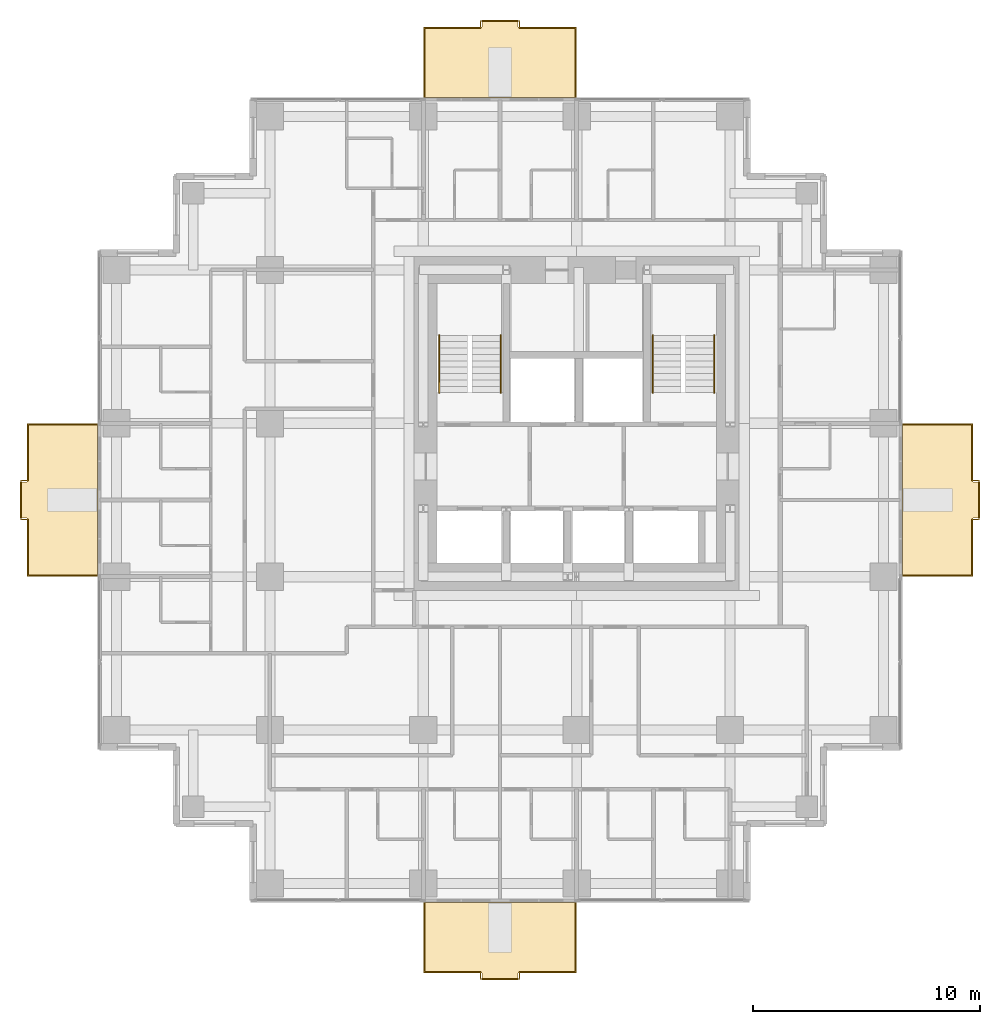
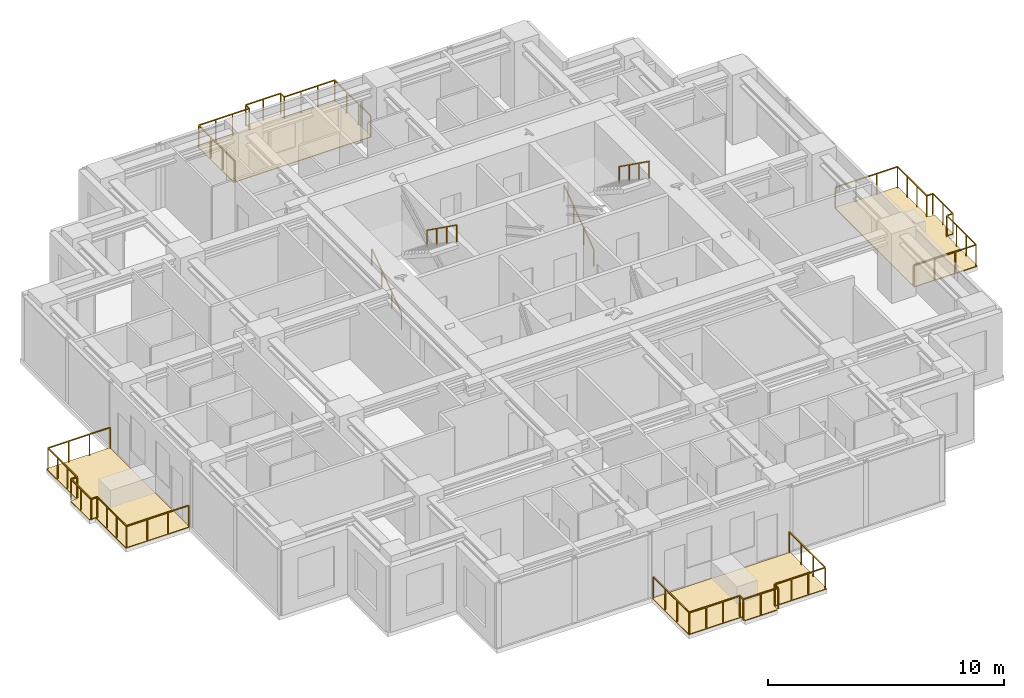
# One storey, part 10 of 10: 8 railings, 4 coverings.
"""IFC4 building model written with IfcOpenShell, lengths in metres."""

import ifcopenshell
import ifcopenshell.guid

model = None  # the IFC model being written
_history = None  # IfcOwnerHistory: only IFC2X3 demands one
_inside = {}  # id of a spatial element -> (the spatial element, [elements in it])
_under = {}  # id of a project, library or spatial element -> (it, [spatial elements below it])
_declared = {}  # id of a project -> (the project, [libraries it declares])
_typed = {}  # id of a type object -> (the type object, [elements of that type])
_made_of = {}  # id of a material, layer set ... -> (it, [elements and type objects made of it])


def new_model(schema):
    """Start an empty IFC model of exactly this schema.

    Asked for "IFC4X3", IfcOpenShell would pick the latest addendum, in which some entities
    have other attributes; the version numbers below select the first issue.
    IFC2X3 requires an IfcOwnerHistory on every rooted entity: one is made here for all.
    """
    global model, _history
    if schema == "IFC4X3":
        model = ifcopenshell.file(schema_version=(4, 3, 0, 0))
    else:
        model = ifcopenshell.file(schema=schema)
    _inside.clear()
    _under.clear()
    _declared.clear()
    _typed.clear()
    _made_of.clear()
    _history = None
    if model.schema == "IFC2X3":
        org = make("IfcOrganization", Name="unknown")
        user = make(
            "IfcPersonAndOrganization",
            ThePerson=make("IfcPerson", FamilyName="unknown"),
            TheOrganization=org,
        )
        app = make(
            "IfcApplication",
            ApplicationDeveloper=org,
            Version="unknown",
            ApplicationFullName="unknown",
            ApplicationIdentifier="unknown",
        )
        _history = make(
            "IfcOwnerHistory",
            OwningUser=user,
            OwningApplication=app,
            ChangeAction="ADDED",
            CreationDate=0,
        )
    return model


def make(cls, **values):
    """One entity of the class cls with the attributes given. An attribute that is None is left unset."""
    return model.create_entity(
        cls, **{name: value for name, value in values.items() if value is not None}
    )


def rooted(cls, **values):
    """An entity with a GlobalId (a new one), such as an element, a storey or a relation."""
    return make(cls, GlobalId=ifcopenshell.guid.new(), OwnerHistory=_history, **values)


def si_unit(unit_type, name, prefix=None):
    """IfcSIUnit, for example si_unit("LENGTHUNIT", "METRE", prefix="MILLI")."""
    return make("IfcSIUnit", UnitType=unit_type, Prefix=prefix, Name=name)


def assignment(units):
    """IfcUnitAssignment: the units of a project."""
    return None if units is None else make("IfcUnitAssignment", Units=units)


def point(xyz):
    """IfcCartesianPoint."""
    return None if xyz is None else make("IfcCartesianPoint", Coordinates=xyz)


def direction(xyz):
    """IfcDirection."""
    return None if xyz is None else make("IfcDirection", DirectionRatios=xyz)


def frame(location, z_axis=None, x_axis=None):
    """IfcAxis2Placement3D, a coordinate frame: its origin and axes. An axis left out is left unset."""
    return make(
        "IfcAxis2Placement3D",
        Location=point(location),
        Axis=direction(z_axis),
        RefDirection=direction(x_axis),
    )


def frame_2d(location, x_axis=None):
    """IfcAxis2Placement2D, a coordinate frame in the plane: its origin and x axis."""
    return make(
        "IfcAxis2Placement2D", Location=point(location), RefDirection=direction(x_axis)
    )


def origin():
    """The frame at (0, 0, 0) with its axes left unset."""
    return frame((0.0, 0.0, 0.0))


def origin_2d():
    """The frame at (0, 0) in the plane with its x axis left unset."""
    return frame_2d((0.0, 0.0))


def place(relative_to, where):
    """IfcLocalPlacement: puts the frame where relative to a parent placement (None: the world)."""
    return make(
        "IfcLocalPlacement", PlacementRelTo=relative_to, RelativePlacement=where
    )


def context(
    kind, dimensions, precision=None, world=None, true_north=None, identifier=None
):
    """IfcGeometricRepresentationContext, for example the 3D "Model" context."""
    return make(
        "IfcGeometricRepresentationContext",
        ContextIdentifier=identifier,
        ContextType=kind,
        CoordinateSpaceDimension=dimensions,
        Precision=precision,
        WorldCoordinateSystem=world,
        TrueNorth=true_north,
    )


def subcontext(parent, identifier, kind, view, scale=None):
    """IfcGeometricRepresentationSubContext, for example "Body" below "Model"."""
    return make(
        "IfcGeometricRepresentationSubContext",
        ContextIdentifier=identifier,
        ContextType=kind,
        ParentContext=parent,
        TargetScale=scale,
        TargetView=view,
    )


def project(units=None, contexts=None):
    """IfcProject with its units and contexts."""
    return rooted(
        "IfcProject",
        Name="project",
        RepresentationContexts=contexts,
        UnitsInContext=assignment(units),
    )


def spatial(cls, under=None, at=None, **own):
    """A site, building, storey or space (cls), placed at a placement, below another one or the project."""
    s = rooted(cls, ObjectPlacement=at, **own)
    if under is not None:
        _under.setdefault(under.id(), (under, []))[1].append(s)
    return s


def polyline(points):
    """IfcPolyline through the points."""
    return make("IfcPolyline", Points=[point(p) for p in points])


def profile(cls, at=None, kind="AREA", **sizes):
    """A parametric profile (cls). Its sizes go by their IFC names, for example OverallWidth=200.0."""
    return make(cls, ProfileType=kind, Position=at, **sizes)


def rectangle(**sizes):
    """IfcRectangleProfileDef."""
    return profile("IfcRectangleProfileDef", **sizes)


def outline(outer, holes=None, kind="AREA"):
    """IfcArbitraryClosedProfileDef: a profile drawn as a closed curve; with holes, ...WithVoids."""
    if holes is None:
        return make("IfcArbitraryClosedProfileDef", ProfileType=kind, OuterCurve=outer)
    return make(
        "IfcArbitraryProfileDefWithVoids",
        ProfileType=kind,
        OuterCurve=outer,
        InnerCurves=holes,
    )


def extrude(swept, where, along, depth):
    """IfcExtrudedAreaSolid: the profile swept, set in the frame where, extruded along a direction by depth."""
    return make(
        "IfcExtrudedAreaSolid",
        SweptArea=swept,
        Position=where,
        ExtrudedDirection=direction(along),
        Depth=depth,
    )


def shape(context_of_items, identifier, shape_type, items):
    """IfcShapeRepresentation: the items that make up one representation, for example the "Body"."""
    return make(
        "IfcShapeRepresentation",
        ContextOfItems=context_of_items,
        RepresentationIdentifier=identifier,
        RepresentationType=shape_type,
        Items=items,
    )


def material(Name=None, Category=None):
    """IfcMaterial."""
    return make("IfcMaterial", Name=Name, Category=Category)


def layer(
    of_material, thickness, ventilated=None, Name=None, Category=None, Priority=None
):
    """IfcMaterialLayer: one layer of a wall or slab, of a material (None: an air gap)."""
    return make(
        "IfcMaterialLayer",
        Material=of_material,
        LayerThickness=thickness,
        IsVentilated=ventilated,
        Name=Name,
        Category=Category,
        Priority=Priority,
    )


def layer_set(layers, Name=None):
    """IfcMaterialLayerSet."""
    return make("IfcMaterialLayerSet", MaterialLayers=layers, LayerSetName=Name)


def made_of(thing, what):
    """Note that an element or type object is made of a material, layer set ...; save() writes the relation."""
    if what is not None:
        _made_of.setdefault(what.id(), (what, []))[1].append(thing)
    return thing


def type_object(cls, material=None, **own):
    """A type object (cls), such as IfcWallType, which elements share."""
    return made_of(rooted(cls, **own), material)


def element(
    cls,
    number,
    at=None,
    inside=None,
    cuts=None,
    type_object=None,
    material=None,
    context=None,
    identifier="Body",
    shape_type=None,
    held_by="IfcProductDefinitionShape",
    body=None,
    shapes=None,
    **own,
):
    """One element of the class cls, such as IfcWall. Its Tag is "e" and its number.

    at: its placement. inside: the storey or other place that contains it. cuts: it is an
    opening in that element (IfcRelVoidsElement). A single representation is given by context,
    identifier, shape_type and body (its items); several are given by shapes. held_by: the class
    of the entity that holds the representations. save() writes the other relations.
    """
    e = rooted(cls, Tag="e%d" % number, ObjectPlacement=at, **own)
    if body is not None:
        shapes = [shape(context, identifier, shape_type, body)]
    if shapes is not None:
        e.Representation = make(held_by, Representations=shapes)
    if inside is not None:
        _inside.setdefault(inside.id(), (inside, []))[1].append(e)
    if cuts is not None:
        rooted(
            "IfcRelVoidsElement", RelatingBuildingElement=cuts, RelatedOpeningElement=e
        )
    if type_object is not None:
        _typed.setdefault(type_object.id(), (type_object, []))[1].append(e)
    return made_of(e, material)


def aggregate(whole, parts):
    """IfcRelAggregates: a whole, such as a stair, and the parts it consists of."""
    return rooted("IfcRelAggregates", RelatingObject=whole, RelatedObjects=parts)


def save(model, path):
    """Write the relations noted so far, then the file.

    IfcRelAggregates (storeys below a building ...), IfcRelContainedInSpatialStructure (elements
    in a storey), IfcRelDefinesByType, IfcRelAssociatesMaterial and IfcRelDeclares: one each for
    every whole, place, type object, material and project.
    """
    for whole, parts in _under.values():
        aggregate(whole, parts)
    for where, things in _inside.values():
        rooted(
            "IfcRelContainedInSpatialStructure",
            RelatedElements=things,
            RelatingStructure=where,
        )
    for kind, things in _typed.values():
        rooted("IfcRelDefinesByType", RelatedObjects=things, RelatingType=kind)
    for what, things in _made_of.values():
        rooted("IfcRelAssociatesMaterial", RelatedObjects=things, RelatingMaterial=what)
    for by, libraries in _declared.values():
        rooted("IfcRelDeclares", RelatingContext=by, RelatedDefinitions=libraries)
    model.write(path)


model = new_model("IFC4")

# Units and contexts
model_context = context("Model", 3, precision=1e-05, world=origin(), true_north=direction((0.0, 1.0)))
body_context = subcontext(model_context, "Body", "Model", "MODEL_VIEW")
ifc_project = project(units=[si_unit("LENGTHUNIT", "METRE"), si_unit("AREAUNIT", "SQUARE_METRE"), si_unit("VOLUMEUNIT", "CUBIC_METRE"), si_unit("PLANEANGLEUNIT", "RADIAN"), si_unit("MASSUNIT", "GRAM", prefix="KILO")], contexts=[model_context])

# Site, building, storey
site_placement = place(None, origin())
site = spatial("IfcSite", under=ifc_project, at=site_placement, CompositionType="ELEMENT")
building_placement = place(site_placement, origin())
building = spatial("IfcBuilding", under=site, at=building_placement, Name="Nyansa Garden Tower", CompositionType="ELEMENT")
storey_placement = place(building_placement, frame((0.0, 0.0, 185.39990234375)))
storey = spatial("IfcBuildingStorey", under=building, at=storey_placement, Name="L50", CompositionType="ELEMENT", Elevation=185.39990234375)

# Coverings
ifc_material_1 = material(Name="Hardwood decking on pedestals", Category="wood")
ifc_layer = layer(ifc_material_1, 0.0400390625)
ifc_layer_set = layer_set([ifc_layer], Name="Balcony decking DK40")
covering_type = type_object("IfcCoveringType", Name="Balcony decking DK40", PredefinedType="FLOORING", material=ifc_layer_set)
covering_1_placement = place(storey_placement, frame((0.0, 0.0, -0.039794921875)))
element("IfcCovering", 1, at=covering_1_placement, inside=storey, type_object=covering_type, Name="Balcony decking L50", PredefinedType="FLOORING", context=body_context, shape_type="SweptSolid", body=[
    extrude(outline(polyline([(13.5, -0.85009765625), (20.25, -0.85009765625), (20.25, -3.949951171875), (17.675048828125, -3.949951171875), (17.675048828125, -4.25), (16.074951171875, -4.25), (16.074951171875, -3.949951171875), (13.5, -3.949951171875), (13.5, -0.85009765625)])), origin(), (0.0, 0.0, 1.0), 0.039794921875),
])
covering_2_placement = place(storey_placement, frame((0.0, 0.0, -0.039794921875)))
element("IfcCovering", 2, at=covering_2_placement, inside=storey, type_object=covering_type, Name="Balcony decking L50", PredefinedType="FLOORING", context=body_context, shape_type="SweptSolid", body=[
    extrude(outline(polyline([(34.60009765625, 13.5), (34.60009765625, 20.25), (37.699951171875, 20.25), (37.699951171875, 17.675048828125), (38.0, 17.675048828125), (38.0, 16.074951171875), (37.699951171875, 16.074951171875), (37.699951171875, 13.5), (34.60009765625, 13.5)])), origin(), (0.0, 0.0, 1.0), 0.039794921875),
])
covering_3_placement = place(storey_placement, frame((0.0, 0.0, -0.039794921875)))
element("IfcCovering", 3, at=covering_3_placement, inside=storey, type_object=covering_type, Name="Balcony decking L50", PredefinedType="FLOORING", context=body_context, shape_type="SweptSolid", body=[
    extrude(outline(polyline([(13.5, 34.60009765625), (20.25, 34.60009765625), (20.25, 37.699951171875), (17.675048828125, 37.699951171875), (17.675048828125, 38.0), (16.074951171875, 38.0), (16.074951171875, 37.699951171875), (13.5, 37.699951171875), (13.5, 34.60009765625)])), origin(), (0.0, 0.0, 1.0), 0.039794921875),
])
covering_4_placement = place(storey_placement, frame((0.0, 0.0, -0.039794921875)))
element("IfcCovering", 4, at=covering_4_placement, inside=storey, type_object=covering_type, Name="Balcony decking L50", PredefinedType="FLOORING", context=body_context, shape_type="SweptSolid", body=[
    extrude(outline(polyline([(-0.85009765625, 13.5), (-0.85009765625, 20.25), (-3.949951171875, 20.25), (-3.949951171875, 17.675048828125), (-4.25, 17.675048828125), (-4.25, 16.074951171875), (-3.949951171875, 16.074951171875), (-3.949951171875, 13.5), (-0.85009765625, 13.5)])), origin(), (0.0, 0.0, 1.0), 0.039794921875),
])

# Railings
ifc_material_2 = material(Name="Black powder-coated steel balusters, laminated glass infill", Category="steel")
railing_type_1 = type_object("IfcRailingType", Name="Balcony guard G1", PredefinedType="GUARDRAIL", material=ifc_material_2)
railing_1_placement = place(storey_placement, frame((13.550048828125, -0.85009765625, 0.0)))
element("IfcRailing", 5, at=railing_1_placement, inside=storey, type_object=railing_type_1, Name="Balcony guard L50", PredefinedType="GUARDRAIL", context=body_context, shape_type="SweptSolid", body=[
    extrude(rectangle(XDim=0.048095703125, YDim=0.048095703125, at=origin_2d()), frame((0.0, 0.0, 1.076171875), z_axis=(0.0, -1.0, 0.0), x_axis=(1.0, 0.0, 0.0)), (0.0, 0.0, 1.0), 3.0498046875),
    extrude(rectangle(XDim=0.048095703125, YDim=0.048095703125, at=origin_2d()), frame((0.0, -3.0498046875, 1.076171875), z_axis=(1.0, 0.0, 0.0), x_axis=(0.0, 1.0, 0.0)), (0.0, 0.0, 1.0), 2.474853515625),
    extrude(rectangle(XDim=0.048095703125, YDim=0.048095703125, at=origin_2d()), frame((2.474853515625, -3.0498046875, 1.076171875), z_axis=(0.0, -1.0, 0.0), x_axis=(1.0, 0.0, 0.0)), (0.0, 0.0, 1.0), 0.300048828125),
    extrude(rectangle(XDim=0.048095703125, YDim=0.048095703125, at=origin_2d()), frame((2.474853515625, -3.349853515625, 1.076171875), z_axis=(1.0, 0.0, 0.0), x_axis=(0.0, 1.0, 0.0)), (0.0, 0.0, 1.0), 1.7001953125),
    extrude(rectangle(XDim=0.048095703125, YDim=0.048095703125, at=origin_2d()), frame((4.175048828125, -3.349853515625, 1.076171875), z_axis=(0.0, 1.0, 0.0), x_axis=(-1.0, 0.0, 0.0)), (0.0, 0.0, 1.0), 0.300048828125),
    extrude(rectangle(XDim=0.048095703125, YDim=0.048095703125, at=origin_2d()), frame((4.175048828125, -3.0498046875, 1.076171875), z_axis=(1.0, 0.0, 0.0), x_axis=(0.0, 1.0, 0.0)), (0.0, 0.0, 1.0), 2.474853515625),
    extrude(rectangle(XDim=0.048095703125, YDim=0.048095703125, at=origin_2d()), frame((6.64990234375, -3.0498046875, 1.076171875), z_axis=(0.0, 1.0, 0.0), x_axis=(-1.0, 0.0, 0.0)), (0.0, 0.0, 1.0), 3.0498046875),
    extrude(rectangle(XDim=0.0419921875, YDim=0.0419921875, at=origin_2d()), origin(), (0.0, 0.0, 1.0), 1.052001953125),
    extrude(rectangle(XDim=0.0419921875, YDim=0.0419921875, at=origin_2d()), frame((0.0, -1.0166015625, 0.0)), (0.0, 0.0, 1.0), 1.052001953125),
    extrude(rectangle(XDim=0.0419921875, YDim=0.0419921875, at=origin_2d()), frame((0.0, -2.033203125, 0.0)), (0.0, 0.0, 1.0), 1.052001953125),
    extrude(rectangle(XDim=0.0419921875, YDim=0.0419921875, at=origin_2d()), frame((0.0, -3.0498046875, 0.0)), (0.0, 0.0, 1.0), 1.052001953125),
    extrude(rectangle(XDim=0.0419921875, YDim=0.0419921875, at=origin_2d()), frame((0.824951171875, -3.0498046875, 0.0)), (0.0, 0.0, 1.0), 1.052001953125),
    extrude(rectangle(XDim=0.0419921875, YDim=0.0419921875, at=origin_2d()), frame((1.64990234375, -3.0498046875, 0.0)), (0.0, 0.0, 1.0), 1.052001953125),
    extrude(rectangle(XDim=0.0419921875, YDim=0.0419921875, at=origin_2d()), frame((2.474853515625, -3.0498046875, 0.0)), (0.0, 0.0, 1.0), 1.052001953125),
    extrude(rectangle(XDim=0.0419921875, YDim=0.0419921875, at=origin_2d()), frame((2.474853515625, -3.349853515625, 0.0)), (0.0, 0.0, 1.0), 1.052001953125),
    extrude(rectangle(XDim=0.0419921875, YDim=0.0419921875, at=origin_2d()), frame((3.324951171875, -3.349853515625, 0.0)), (0.0, 0.0, 1.0), 1.052001953125),
    extrude(rectangle(XDim=0.0419921875, YDim=0.0419921875, at=origin_2d()), frame((4.175048828125, -3.349853515625, 0.0)), (0.0, 0.0, 1.0), 1.052001953125),
    extrude(rectangle(XDim=0.0419921875, YDim=0.0419921875, at=origin_2d()), frame((4.175048828125, -3.0498046875, 0.0)), (0.0, 0.0, 1.0), 1.052001953125),
    extrude(rectangle(XDim=0.0419921875, YDim=0.0419921875, at=origin_2d()), frame((5.0, -3.0498046875, 0.0)), (0.0, 0.0, 1.0), 1.052001953125),
    extrude(rectangle(XDim=0.0419921875, YDim=0.0419921875, at=origin_2d()), frame((5.824951171875, -3.0498046875, 0.0)), (0.0, 0.0, 1.0), 1.052001953125),
    extrude(rectangle(XDim=0.0419921875, YDim=0.0419921875, at=origin_2d()), frame((6.64990234375, -3.0498046875, 0.0)), (0.0, 0.0, 1.0), 1.052001953125),
    extrude(rectangle(XDim=0.0419921875, YDim=0.0419921875, at=origin_2d()), frame((6.64990234375, -2.033203125, 0.0)), (0.0, 0.0, 1.0), 1.052001953125),
    extrude(rectangle(XDim=0.0419921875, YDim=0.0419921875, at=origin_2d()), frame((6.64990234375, -1.0166015625, 0.0)), (0.0, 0.0, 1.0), 1.052001953125),
    extrude(rectangle(XDim=0.0419921875, YDim=0.0419921875, at=origin_2d()), frame((6.64990234375, 0.0, 0.0)), (0.0, 0.0, 1.0), 1.052001953125),
])
railing_2_placement = place(storey_placement, frame((34.60009765625, 13.550048828125, 0.0)))
element("IfcRailing", 6, at=railing_2_placement, inside=storey, type_object=railing_type_1, Name="Balcony guard L50", PredefinedType="GUARDRAIL", context=body_context, shape_type="SweptSolid", body=[
    extrude(rectangle(XDim=0.048095703125, YDim=0.048095703125, at=origin_2d()), frame((0.0, 0.0, 1.076171875), z_axis=(1.0, 0.0, 0.0), x_axis=(0.0, 1.0, 0.0)), (0.0, 0.0, 1.0), 3.0498046875),
    extrude(rectangle(XDim=0.048095703125, YDim=0.048095703125, at=origin_2d()), frame((3.0498046875, 0.0, 1.076171875), z_axis=(0.0, 1.0, 0.0), x_axis=(-1.0, 0.0, 0.0)), (0.0, 0.0, 1.0), 2.474853515625),
    extrude(rectangle(XDim=0.048095703125, YDim=0.048095703125, at=origin_2d()), frame((3.0498046875, 2.474853515625, 1.076171875), z_axis=(1.0, 0.0, 0.0), x_axis=(0.0, 1.0, 0.0)), (0.0, 0.0, 1.0), 0.300048828125),
    extrude(rectangle(XDim=0.048095703125, YDim=0.048095703125, at=origin_2d()), frame((3.349853515625, 2.474853515625, 1.076171875), z_axis=(0.0, 1.0, 0.0), x_axis=(-1.0, 0.0, 0.0)), (0.0, 0.0, 1.0), 1.7001953125),
    extrude(rectangle(XDim=0.048095703125, YDim=0.048095703125, at=origin_2d()), frame((3.349853515625, 4.175048828125, 1.076171875), z_axis=(-1.0, 0.0, 0.0), x_axis=(0.0, -1.0, 0.0)), (0.0, 0.0, 1.0), 0.300048828125),
    extrude(rectangle(XDim=0.048095703125, YDim=0.048095703125, at=origin_2d()), frame((3.0498046875, 4.175048828125, 1.076171875), z_axis=(0.0, 1.0, 0.0), x_axis=(-1.0, 0.0, 0.0)), (0.0, 0.0, 1.0), 2.474853515625),
    extrude(rectangle(XDim=0.048095703125, YDim=0.048095703125, at=origin_2d()), frame((3.0498046875, 6.64990234375, 1.076171875), z_axis=(-1.0, 0.0, 0.0), x_axis=(0.0, -1.0, 0.0)), (0.0, 0.0, 1.0), 3.0498046875),
    extrude(rectangle(XDim=0.0419921875, YDim=0.0419921875, at=origin_2d()), origin(), (0.0, 0.0, 1.0), 1.052001953125),
    extrude(rectangle(XDim=0.0419921875, YDim=0.0419921875, at=origin_2d()), frame((1.0166015625, 0.0, 0.0)), (0.0, 0.0, 1.0), 1.052001953125),
    extrude(rectangle(XDim=0.0419921875, YDim=0.0419921875, at=origin_2d()), frame((2.033203125, 0.0, 0.0)), (0.0, 0.0, 1.0), 1.052001953125),
    extrude(rectangle(XDim=0.0419921875, YDim=0.0419921875, at=origin_2d()), frame((3.0498046875, 0.0, 0.0)), (0.0, 0.0, 1.0), 1.052001953125),
    extrude(rectangle(XDim=0.0419921875, YDim=0.0419921875, at=origin_2d()), frame((3.0498046875, 0.824951171875, 0.0)), (0.0, 0.0, 1.0), 1.052001953125),
    extrude(rectangle(XDim=0.0419921875, YDim=0.0419921875, at=origin_2d()), frame((3.0498046875, 1.64990234375, 0.0)), (0.0, 0.0, 1.0), 1.052001953125),
    extrude(rectangle(XDim=0.0419921875, YDim=0.0419921875, at=origin_2d()), frame((3.0498046875, 2.474853515625, 0.0)), (0.0, 0.0, 1.0), 1.052001953125),
    extrude(rectangle(XDim=0.0419921875, YDim=0.0419921875, at=origin_2d()), frame((3.349853515625, 2.474853515625, 0.0)), (0.0, 0.0, 1.0), 1.052001953125),
    extrude(rectangle(XDim=0.0419921875, YDim=0.0419921875, at=origin_2d()), frame((3.349853515625, 3.324951171875, 0.0)), (0.0, 0.0, 1.0), 1.052001953125),
    extrude(rectangle(XDim=0.0419921875, YDim=0.0419921875, at=origin_2d()), frame((3.349853515625, 4.175048828125, 0.0)), (0.0, 0.0, 1.0), 1.052001953125),
    extrude(rectangle(XDim=0.0419921875, YDim=0.0419921875, at=origin_2d()), frame((3.0498046875, 4.175048828125, 0.0)), (0.0, 0.0, 1.0), 1.052001953125),
    extrude(rectangle(XDim=0.0419921875, YDim=0.0419921875, at=origin_2d()), frame((3.0498046875, 5.0, 0.0)), (0.0, 0.0, 1.0), 1.052001953125),
    extrude(rectangle(XDim=0.0419921875, YDim=0.0419921875, at=origin_2d()), frame((3.0498046875, 5.824951171875, 0.0)), (0.0, 0.0, 1.0), 1.052001953125),
    extrude(rectangle(XDim=0.0419921875, YDim=0.0419921875, at=origin_2d()), frame((3.0498046875, 6.64990234375, 0.0)), (0.0, 0.0, 1.0), 1.052001953125),
    extrude(rectangle(XDim=0.0419921875, YDim=0.0419921875, at=origin_2d()), frame((2.033203125, 6.64990234375, 0.0)), (0.0, 0.0, 1.0), 1.052001953125),
    extrude(rectangle(XDim=0.0419921875, YDim=0.0419921875, at=origin_2d()), frame((1.0166015625, 6.64990234375, 0.0)), (0.0, 0.0, 1.0), 1.052001953125),
    extrude(rectangle(XDim=0.0419921875, YDim=0.0419921875, at=origin_2d()), frame((0.0, 6.64990234375, 0.0)), (0.0, 0.0, 1.0), 1.052001953125),
])
railing_3_placement = place(storey_placement, frame((13.550048828125, 34.60009765625, 0.0)))
element("IfcRailing", 7, at=railing_3_placement, inside=storey, type_object=railing_type_1, Name="Balcony guard L50", PredefinedType="GUARDRAIL", context=body_context, shape_type="SweptSolid", body=[
    extrude(rectangle(XDim=0.048095703125, YDim=0.048095703125, at=origin_2d()), frame((0.0, 0.0, 1.076171875), z_axis=(0.0, 1.0, 0.0), x_axis=(-1.0, 0.0, 0.0)), (0.0, 0.0, 1.0), 3.0498046875),
    extrude(rectangle(XDim=0.048095703125, YDim=0.048095703125, at=origin_2d()), frame((0.0, 3.0498046875, 1.076171875), z_axis=(1.0, 0.0, 0.0), x_axis=(0.0, 1.0, 0.0)), (0.0, 0.0, 1.0), 2.474853515625),
    extrude(rectangle(XDim=0.048095703125, YDim=0.048095703125, at=origin_2d()), frame((2.474853515625, 3.0498046875, 1.076171875), z_axis=(0.0, 1.0, 0.0), x_axis=(-1.0, 0.0, 0.0)), (0.0, 0.0, 1.0), 0.300048828125),
    extrude(rectangle(XDim=0.048095703125, YDim=0.048095703125, at=origin_2d()), frame((2.474853515625, 3.349853515625, 1.076171875), z_axis=(1.0, 0.0, 0.0), x_axis=(0.0, 1.0, 0.0)), (0.0, 0.0, 1.0), 1.7001953125),
    extrude(rectangle(XDim=0.048095703125, YDim=0.048095703125, at=origin_2d()), frame((4.175048828125, 3.349853515625, 1.076171875), z_axis=(0.0, -1.0, 0.0), x_axis=(1.0, 0.0, 0.0)), (0.0, 0.0, 1.0), 0.300048828125),
    extrude(rectangle(XDim=0.048095703125, YDim=0.048095703125, at=origin_2d()), frame((4.175048828125, 3.0498046875, 1.076171875), z_axis=(1.0, 0.0, 0.0), x_axis=(0.0, 1.0, 0.0)), (0.0, 0.0, 1.0), 2.474853515625),
    extrude(rectangle(XDim=0.048095703125, YDim=0.048095703125, at=origin_2d()), frame((6.64990234375, 3.0498046875, 1.076171875), z_axis=(0.0, -1.0, 0.0), x_axis=(1.0, 0.0, 0.0)), (0.0, 0.0, 1.0), 3.0498046875),
    extrude(rectangle(XDim=0.0419921875, YDim=0.0419921875, at=origin_2d()), origin(), (0.0, 0.0, 1.0), 1.052001953125),
    extrude(rectangle(XDim=0.0419921875, YDim=0.0419921875, at=origin_2d()), frame((0.0, 1.0166015625, 0.0)), (0.0, 0.0, 1.0), 1.052001953125),
    extrude(rectangle(XDim=0.0419921875, YDim=0.0419921875, at=origin_2d()), frame((0.0, 2.033203125, 0.0)), (0.0, 0.0, 1.0), 1.052001953125),
    extrude(rectangle(XDim=0.0419921875, YDim=0.0419921875, at=origin_2d()), frame((0.0, 3.0498046875, 0.0)), (0.0, 0.0, 1.0), 1.052001953125),
    extrude(rectangle(XDim=0.0419921875, YDim=0.0419921875, at=origin_2d()), frame((0.824951171875, 3.0498046875, 0.0)), (0.0, 0.0, 1.0), 1.052001953125),
    extrude(rectangle(XDim=0.0419921875, YDim=0.0419921875, at=origin_2d()), frame((1.64990234375, 3.0498046875, 0.0)), (0.0, 0.0, 1.0), 1.052001953125),
    extrude(rectangle(XDim=0.0419921875, YDim=0.0419921875, at=origin_2d()), frame((2.474853515625, 3.0498046875, 0.0)), (0.0, 0.0, 1.0), 1.052001953125),
    extrude(rectangle(XDim=0.0419921875, YDim=0.0419921875, at=origin_2d()), frame((2.474853515625, 3.349853515625, 0.0)), (0.0, 0.0, 1.0), 1.052001953125),
    extrude(rectangle(XDim=0.0419921875, YDim=0.0419921875, at=origin_2d()), frame((3.324951171875, 3.349853515625, 0.0)), (0.0, 0.0, 1.0), 1.052001953125),
    extrude(rectangle(XDim=0.0419921875, YDim=0.0419921875, at=origin_2d()), frame((4.175048828125, 3.349853515625, 0.0)), (0.0, 0.0, 1.0), 1.052001953125),
    extrude(rectangle(XDim=0.0419921875, YDim=0.0419921875, at=origin_2d()), frame((4.175048828125, 3.0498046875, 0.0)), (0.0, 0.0, 1.0), 1.052001953125),
    extrude(rectangle(XDim=0.0419921875, YDim=0.0419921875, at=origin_2d()), frame((5.0, 3.0498046875, 0.0)), (0.0, 0.0, 1.0), 1.052001953125),
    extrude(rectangle(XDim=0.0419921875, YDim=0.0419921875, at=origin_2d()), frame((5.824951171875, 3.0498046875, 0.0)), (0.0, 0.0, 1.0), 1.052001953125),
    extrude(rectangle(XDim=0.0419921875, YDim=0.0419921875, at=origin_2d()), frame((6.64990234375, 3.0498046875, 0.0)), (0.0, 0.0, 1.0), 1.052001953125),
    extrude(rectangle(XDim=0.0419921875, YDim=0.0419921875, at=origin_2d()), frame((6.64990234375, 2.033203125, 0.0)), (0.0, 0.0, 1.0), 1.052001953125),
    extrude(rectangle(XDim=0.0419921875, YDim=0.0419921875, at=origin_2d()), frame((6.64990234375, 1.0166015625, 0.0)), (0.0, 0.0, 1.0), 1.052001953125),
    extrude(rectangle(XDim=0.0419921875, YDim=0.0419921875, at=origin_2d()), frame((6.64990234375, 0.0, 0.0)), (0.0, 0.0, 1.0), 1.052001953125),
])
railing_4_placement = place(storey_placement, frame((-0.85009765625, 13.550048828125, 0.0)))
element("IfcRailing", 8, at=railing_4_placement, inside=storey, type_object=railing_type_1, Name="Balcony guard L50", PredefinedType="GUARDRAIL", context=body_context, shape_type="SweptSolid", body=[
    extrude(rectangle(XDim=0.048095703125, YDim=0.048095703125, at=origin_2d()), frame((0.0, 0.0, 1.076171875), z_axis=(-1.0, 0.0, 0.0), x_axis=(0.0, -1.0, 0.0)), (0.0, 0.0, 1.0), 3.0498046875),
    extrude(rectangle(XDim=0.048095703125, YDim=0.048095703125, at=origin_2d()), frame((-3.0498046875, 0.0, 1.076171875), z_axis=(0.0, 1.0, 0.0), x_axis=(-1.0, 0.0, 0.0)), (0.0, 0.0, 1.0), 2.474853515625),
    extrude(rectangle(XDim=0.048095703125, YDim=0.048095703125, at=origin_2d()), frame((-3.0498046875, 2.474853515625, 1.076171875), z_axis=(-1.0, 0.0, 0.0), x_axis=(0.0, -1.0, 0.0)), (0.0, 0.0, 1.0), 0.300048828125),
    extrude(rectangle(XDim=0.048095703125, YDim=0.048095703125, at=origin_2d()), frame((-3.349853515625, 2.474853515625, 1.076171875), z_axis=(0.0, 1.0, 0.0), x_axis=(-1.0, 0.0, 0.0)), (0.0, 0.0, 1.0), 1.7001953125),
    extrude(rectangle(XDim=0.048095703125, YDim=0.048095703125, at=origin_2d()), frame((-3.349853515625, 4.175048828125, 1.076171875), z_axis=(1.0, 0.0, 0.0), x_axis=(0.0, 1.0, 0.0)), (0.0, 0.0, 1.0), 0.300048828125),
    extrude(rectangle(XDim=0.048095703125, YDim=0.048095703125, at=origin_2d()), frame((-3.0498046875, 4.175048828125, 1.076171875), z_axis=(0.0, 1.0, 0.0), x_axis=(-1.0, 0.0, 0.0)), (0.0, 0.0, 1.0), 2.474853515625),
    extrude(rectangle(XDim=0.048095703125, YDim=0.048095703125, at=origin_2d()), frame((-3.0498046875, 6.64990234375, 1.076171875), z_axis=(1.0, 0.0, 0.0), x_axis=(0.0, 1.0, 0.0)), (0.0, 0.0, 1.0), 3.0498046875),
    extrude(rectangle(XDim=0.0419921875, YDim=0.0419921875, at=origin_2d()), origin(), (0.0, 0.0, 1.0), 1.052001953125),
    extrude(rectangle(XDim=0.0419921875, YDim=0.0419921875, at=origin_2d()), frame((-1.0166015625, 0.0, 0.0)), (0.0, 0.0, 1.0), 1.052001953125),
    extrude(rectangle(XDim=0.0419921875, YDim=0.0419921875, at=origin_2d()), frame((-2.033203125, 0.0, 0.0)), (0.0, 0.0, 1.0), 1.052001953125),
    extrude(rectangle(XDim=0.0419921875, YDim=0.0419921875, at=origin_2d()), frame((-3.0498046875, 0.0, 0.0)), (0.0, 0.0, 1.0), 1.052001953125),
    extrude(rectangle(XDim=0.0419921875, YDim=0.0419921875, at=origin_2d()), frame((-3.0498046875, 0.824951171875, 0.0)), (0.0, 0.0, 1.0), 1.052001953125),
    extrude(rectangle(XDim=0.0419921875, YDim=0.0419921875, at=origin_2d()), frame((-3.0498046875, 1.64990234375, 0.0)), (0.0, 0.0, 1.0), 1.052001953125),
    extrude(rectangle(XDim=0.0419921875, YDim=0.0419921875, at=origin_2d()), frame((-3.0498046875, 2.474853515625, 0.0)), (0.0, 0.0, 1.0), 1.052001953125),
    extrude(rectangle(XDim=0.0419921875, YDim=0.0419921875, at=origin_2d()), frame((-3.349853515625, 2.474853515625, 0.0)), (0.0, 0.0, 1.0), 1.052001953125),
    extrude(rectangle(XDim=0.0419921875, YDim=0.0419921875, at=origin_2d()), frame((-3.349853515625, 3.324951171875, 0.0)), (0.0, 0.0, 1.0), 1.052001953125),
    extrude(rectangle(XDim=0.0419921875, YDim=0.0419921875, at=origin_2d()), frame((-3.349853515625, 4.175048828125, 0.0)), (0.0, 0.0, 1.0), 1.052001953125),
    extrude(rectangle(XDim=0.0419921875, YDim=0.0419921875, at=origin_2d()), frame((-3.0498046875, 4.175048828125, 0.0)), (0.0, 0.0, 1.0), 1.052001953125),
    extrude(rectangle(XDim=0.0419921875, YDim=0.0419921875, at=origin_2d()), frame((-3.0498046875, 5.0, 0.0)), (0.0, 0.0, 1.0), 1.052001953125),
    extrude(rectangle(XDim=0.0419921875, YDim=0.0419921875, at=origin_2d()), frame((-3.0498046875, 5.824951171875, 0.0)), (0.0, 0.0, 1.0), 1.052001953125),
    extrude(rectangle(XDim=0.0419921875, YDim=0.0419921875, at=origin_2d()), frame((-3.0498046875, 6.64990234375, 0.0)), (0.0, 0.0, 1.0), 1.052001953125),
    extrude(rectangle(XDim=0.0419921875, YDim=0.0419921875, at=origin_2d()), frame((-2.033203125, 6.64990234375, 0.0)), (0.0, 0.0, 1.0), 1.052001953125),
    extrude(rectangle(XDim=0.0419921875, YDim=0.0419921875, at=origin_2d()), frame((-1.0166015625, 6.64990234375, 0.0)), (0.0, 0.0, 1.0), 1.052001953125),
    extrude(rectangle(XDim=0.0419921875, YDim=0.0419921875, at=origin_2d()), frame((0.0, 6.64990234375, 0.0)), (0.0, 0.0, 1.0), 1.052001953125),
])
ifc_material_3 = material(Name="Black powder-coated steel tube 48 mm", Category="steel")
railing_type_2 = type_object("IfcRailingType", Name="Stair handrail HR1", PredefinedType="HANDRAIL", material=ifc_material_3)
railing_5_placement = place(storey_placement, frame((14.199951171875, 21.60009765625, 0.0)))
element("IfcRailing", 9, at=railing_5_placement, inside=storey, type_object=railing_type_2, Name="Stair S1 handrail L50", PredefinedType="HANDRAIL", context=body_context, shape_type="SweptSolid", body=[
    extrude(rectangle(XDim=0.048095703125, YDim=0.048095703125, at=origin_2d()), frame((0.0, 0.0, 0.8759765625), z_axis=(0.0, 0.813728144527, 0.581245650998), x_axis=(-1.0, 0.0, 0.0)), (0.0, 0.0, 1.0), 3.096923828125),
    extrude(rectangle(XDim=0.0419921875, YDim=0.0419921875, at=origin_2d()), origin(), (0.0, 0.0, 1.0), 0.851806640625),
    extrude(rectangle(XDim=0.0419921875, YDim=0.0419921875, at=origin_2d()), frame((0.0, 0.840087890625, 0.60009765625)), (0.0, 0.0, 1.0), 0.851806640625),
    extrude(rectangle(XDim=0.0419921875, YDim=0.0419921875, at=origin_2d()), frame((0.0, 1.679931640625, 1.199951171875)), (0.0, 0.0, 1.0), 0.851806640625),
    extrude(rectangle(XDim=0.0419921875, YDim=0.0419921875, at=origin_2d()), frame((0.0, 2.52001953125, 1.800048828125)), (0.0, 0.0, 1.0), 0.851806640625),
])
railing_6_placement = place(storey_placement, frame((16.89990234375, 24.1201171875, 1.800048828125)))
element("IfcRailing", 10, at=railing_6_placement, inside=storey, type_object=railing_type_2, Name="Stair S1 handrail L50", PredefinedType="HANDRAIL", context=body_context, shape_type="SweptSolid", body=[
    extrude(rectangle(XDim=0.048095703125, YDim=0.048095703125, at=origin_2d()), frame((0.0, 0.0, 0.8759765625), z_axis=(0.0, -0.813728144527, 0.581245650998), x_axis=(1.0, 0.0, 0.0)), (0.0, 0.0, 1.0), 3.096923828125),
    extrude(rectangle(XDim=0.0419921875, YDim=0.0419921875, at=origin_2d()), origin(), (0.0, 0.0, 1.0), 0.851806640625),
    extrude(rectangle(XDim=0.0419921875, YDim=0.0419921875, at=origin_2d()), frame((0.0, -0.840087890625, 0.60009765625)), (0.0, 0.0, 1.0), 0.851806640625),
    extrude(rectangle(XDim=0.0419921875, YDim=0.0419921875, at=origin_2d()), frame((0.0, -1.679931640625, 1.199951171875)), (0.0, 0.0, 1.0), 0.851806640625),
    extrude(rectangle(XDim=0.0419921875, YDim=0.0419921875, at=origin_2d()), frame((0.0, -2.52001953125, 1.800048828125)), (0.0, 0.0, 1.0), 0.851806640625),
])
railing_7_placement = place(storey_placement, frame((23.60009765625, 21.60009765625, 0.0)))
element("IfcRailing", 11, at=railing_7_placement, inside=storey, type_object=railing_type_2, Name="Stair S2 handrail L50", PredefinedType="HANDRAIL", context=body_context, shape_type="SweptSolid", body=[
    extrude(rectangle(XDim=0.048095703125, YDim=0.048095703125, at=origin_2d()), frame((0.0, 0.0, 0.8759765625), z_axis=(0.0, 0.813728144527, 0.581245650998), x_axis=(-1.0, 0.0, 0.0)), (0.0, 0.0, 1.0), 3.096923828125),
    extrude(rectangle(XDim=0.0419921875, YDim=0.0419921875, at=origin_2d()), origin(), (0.0, 0.0, 1.0), 0.851806640625),
    extrude(rectangle(XDim=0.0419921875, YDim=0.0419921875, at=origin_2d()), frame((0.0, 0.840087890625, 0.60009765625)), (0.0, 0.0, 1.0), 0.851806640625),
    extrude(rectangle(XDim=0.0419921875, YDim=0.0419921875, at=origin_2d()), frame((0.0, 1.679931640625, 1.199951171875)), (0.0, 0.0, 1.0), 0.851806640625),
    extrude(rectangle(XDim=0.0419921875, YDim=0.0419921875, at=origin_2d()), frame((0.0, 2.52001953125, 1.800048828125)), (0.0, 0.0, 1.0), 0.851806640625),
])
railing_8_placement = place(storey_placement, frame((26.300048828125, 24.1201171875, 1.800048828125)))
element("IfcRailing", 12, at=railing_8_placement, inside=storey, type_object=railing_type_2, Name="Stair S2 handrail L50", PredefinedType="HANDRAIL", context=body_context, shape_type="SweptSolid", body=[
    extrude(rectangle(XDim=0.048095703125, YDim=0.048095703125, at=origin_2d()), frame((0.0, 0.0, 0.8759765625), z_axis=(0.0, -0.813728144527, 0.581245650998), x_axis=(1.0, 0.0, 0.0)), (0.0, 0.0, 1.0), 3.096923828125),
    extrude(rectangle(XDim=0.0419921875, YDim=0.0419921875, at=origin_2d()), origin(), (0.0, 0.0, 1.0), 0.851806640625),
    extrude(rectangle(XDim=0.0419921875, YDim=0.0419921875, at=origin_2d()), frame((0.0, -0.840087890625, 0.60009765625)), (0.0, 0.0, 1.0), 0.851806640625),
    extrude(rectangle(XDim=0.0419921875, YDim=0.0419921875, at=origin_2d()), frame((0.0, -1.679931640625, 1.199951171875)), (0.0, 0.0, 1.0), 0.851806640625),
    extrude(rectangle(XDim=0.0419921875, YDim=0.0419921875, at=origin_2d()), frame((0.0, -2.52001953125, 1.800048828125)), (0.0, 0.0, 1.0), 0.851806640625),
])

save(model, "model.ifc")
